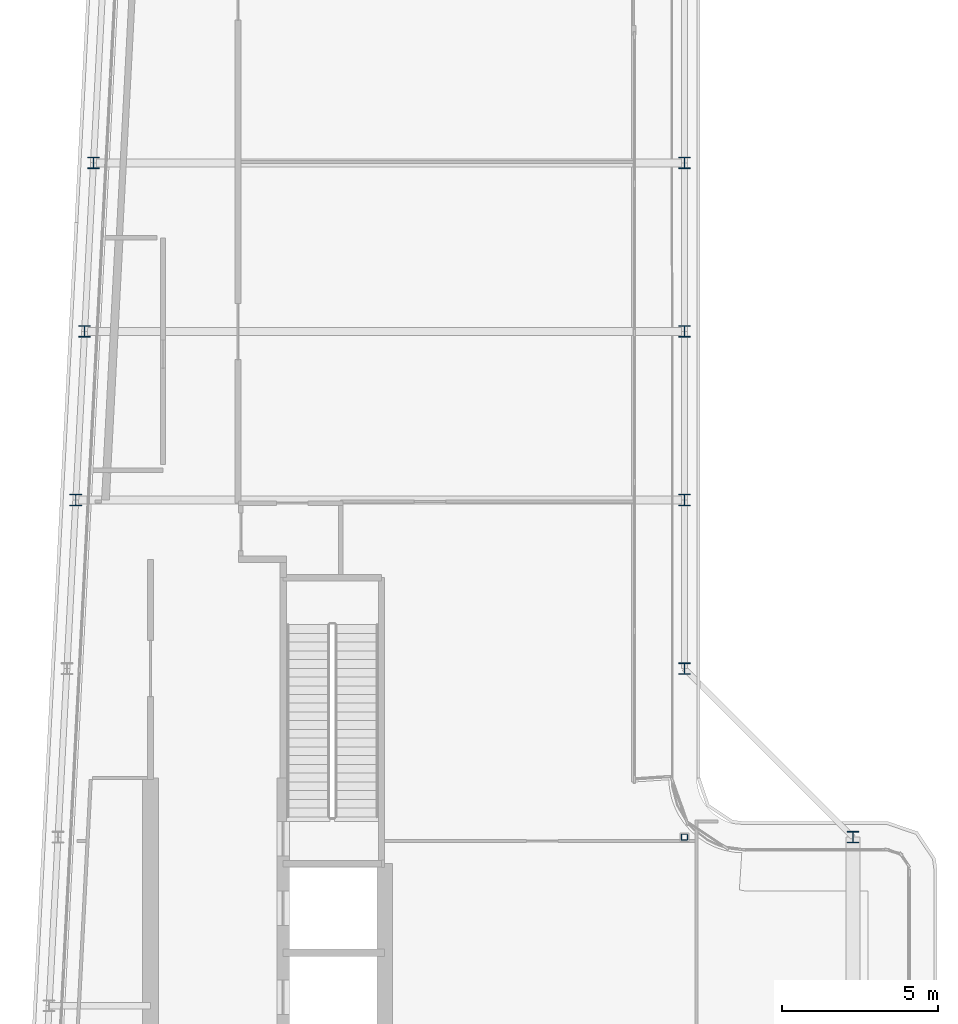
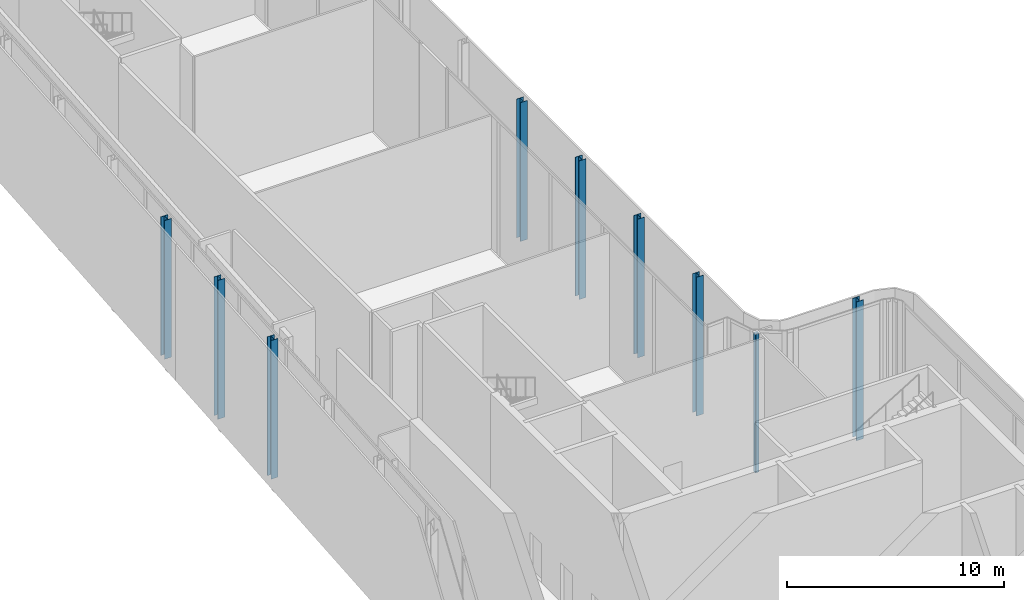
# One storey, part 2 of 23: 9 columns.
"""IFC4 building model written with IfcOpenShell, lengths in metres."""

from ifc_helpers import new_model, si_unit, direction, frame, origin, origin_2d, place, context, subcontext, project, spatial, hollow_rectangle, i_section, extrude, material, material_profile, profile_set, type_object, element, save


model = new_model("IFC4")

# Units and contexts
model_context = context("Model", 3, precision=1e-05, world=origin(), true_north=direction((0.0, 1.0)))
body_context = subcontext(model_context, "Body", "Model", "MODEL_VIEW")
ifc_project = project(units=[si_unit("LENGTHUNIT", "METRE"), si_unit("AREAUNIT", "SQUARE_METRE"), si_unit("VOLUMEUNIT", "CUBIC_METRE"), si_unit("PLANEANGLEUNIT", "RADIAN"), si_unit("MASSUNIT", "GRAM", prefix="KILO")], contexts=[model_context])

# Site, building, storey
site_placement = place(None, origin())
site = spatial("IfcSite", under=ifc_project, at=site_placement, CompositionType="ELEMENT")
building_placement = place(site_placement, origin())
building = spatial("IfcBuilding", under=site, at=building_placement, Name="Kheshtan School and Residences Tower", CompositionType="ELEMENT")
storey_placement = place(building_placement, frame((0.0, 0.0, 389.0)))
storey = spatial("IfcBuildingStorey", under=building, at=storey_placement, Name="L92", CompositionType="ELEMENT", Elevation=389.0)

# Columns
ifc_material_1 = material(Name="Steel ASTM A992 Grade 50", Category="steel")
ifc_material_profile_1 = material_profile(ifc_material_1, i_section(OverallWidth=0.37109375, OverallDepth=0.364013671875, WebThickness=0.01318359375, FlangeThickness=0.021728515625, FilletRadius=0.010986328125, at=origin_2d()), Name="W360x162")
ifc_profile_set_1 = profile_set([ifc_material_profile_1], Name="Steel ASTM A992 Grade 50")
column_type_1 = type_object("IfcColumnType", Name="Column C6 W360x162 ASTM A992 Grade 50", PredefinedType="COLUMN", material=ifc_profile_set_1)
for number, where, z_axis, x_axis, name in (
    (1, (53.0, 45.60009765625, 0.0), (0.0, 0.0, 1.0), (1.0, 0.0, 0.0), "Column C061"),
    (2, (47.60009765625, 51.0, 0.0), (0.0, 0.0, 1.0), (1.0, 0.0, 0.0), "Column C079"),
    (3, (28.10595703125, 56.39990234375, 0.0), (0.0, 0.0, 1.0), (1.0, 0.0, 0.0), "Column C080"),
    (4, (47.60009765625, 56.39990234375, 0.0), (0.0, 0.0, 1.0), (1.0, 0.0, 0.0), "Column C081"),
    (5, (28.389892578125, 61.800048828125, 0.0), (0.0, 0.0, 1.0), (1.0, 0.0, 0.0), "Column C082"),
    (6, (47.60009765625, 61.800048828125, 0.0), (0.0, 0.0, 1.0), (1.0, 0.0, 0.0), "Column C083"),
    (7, (28.674072265625, 67.199951171875, 0.0), (0.0, 0.0, 1.0), (1.0, 0.0, 0.0), "Column C084"),
    (8, (47.60009765625, 67.199951171875, 0.0), (0.0, 0.0, 1.0), (1.0, 0.0, 0.0), "Column C085"),
):
    element("IfcColumn", number, at=place(storey_placement, frame(where, z_axis=z_axis, x_axis=x_axis)), inside=storey, type_object=column_type_1, Name=name, PredefinedType="COLUMN", context=body_context, shape_type="SweptSolid", body=[
        extrude(i_section(OverallWidth=0.37109375, OverallDepth=0.364013671875, WebThickness=0.01318359375, FlangeThickness=0.021728515625, FilletRadius=0.010986328125, at=origin_2d()), origin(), (0.0, 0.0, 1.0), 7.800048828125),
    ])
ifc_material_2 = material(Name="Steel ASTM A500 Grade C", Category="steel")
ifc_material_profile_2 = material_profile(ifc_material_2, hollow_rectangle(XDim=0.202880859375, YDim=0.202880859375, WallThickness=0.0126953125, InnerFilletRadius=0.0126953125, OuterFilletRadius=0.025390625, at=origin_2d()), Name="HSS 203x203x12.7")
ifc_profile_set_2 = profile_set([ifc_material_profile_2], Name="Steel ASTM A500 Grade C")
column_type_2 = type_object("IfcColumnType", Name="Column IC4 HSS 203x203x12.7 ASTM A500 Grade C", PredefinedType="COLUMN", material=ifc_profile_set_2)
column_placement = place(storey_placement, frame((47.60009765625, 45.60009765625, 0.0), z_axis=(0.0, 0.0, 1.0), x_axis=(1.0, 0.0, 0.0)))
element("IfcColumn", 9, at=column_placement, inside=storey, type_object=column_type_2, Name="Column C060", PredefinedType="COLUMN", context=body_context, shape_type="SweptSolid", body=[
    extrude(hollow_rectangle(XDim=0.202880859375, YDim=0.202880859375, WallThickness=0.0126953125, InnerFilletRadius=0.0126953125, OuterFilletRadius=0.025390625, at=origin_2d()), origin(), (0.0, 0.0, 1.0), 7.800048828125),
])

save(model, "model.ifc")
